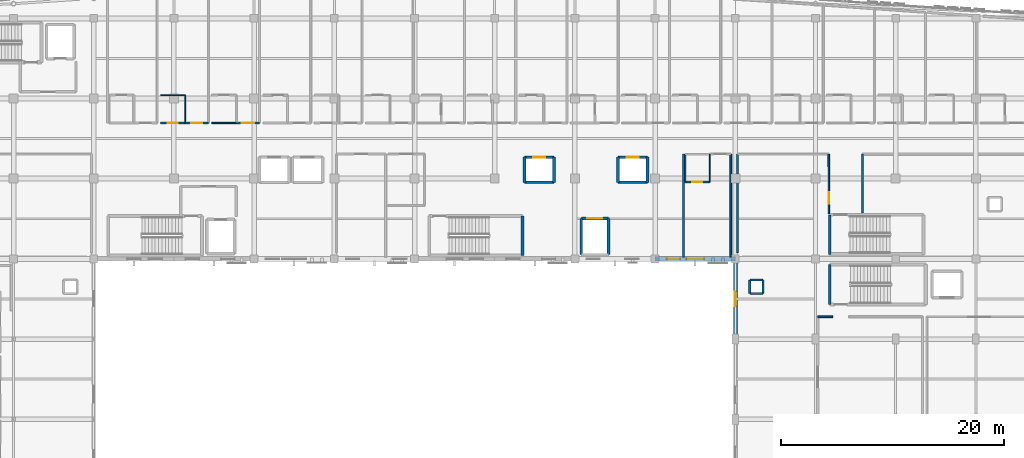
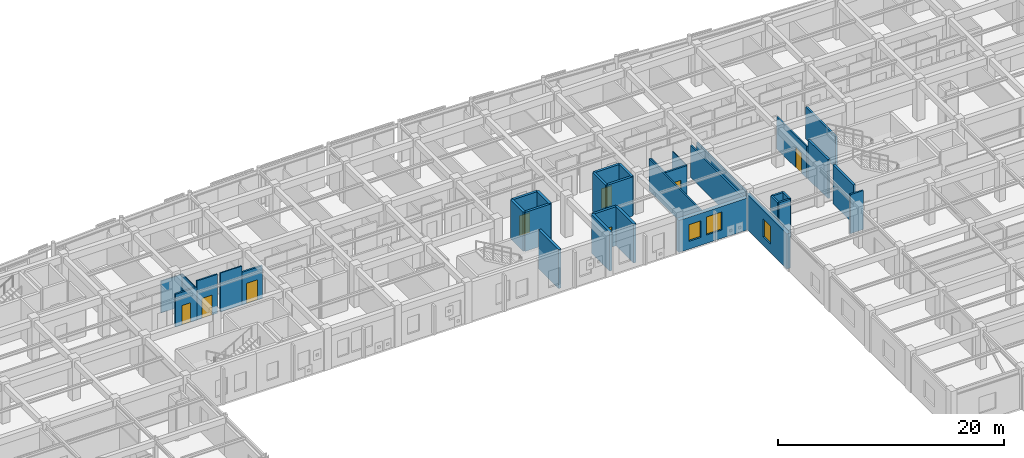
# One storey, part 81 of 106: 35 walls, 8 doors, 3 windows, 11 openings.
"""IFC4 building model written with IfcOpenShell, lengths in metres."""

from ifc_helpers import new_model, si_unit, direction, frame, frame_2d, origin, place, context, subcontext, project, spatial, rectangle, extrude, material, layer, layer_set, type_object, element, fill, save


model = new_model("IFC4")

# Units and contexts
model_context = context("Model", 3, precision=1e-05, world=origin(), true_north=direction((0.0, 1.0)))
body_context = subcontext(model_context, "Body", "Model", "MODEL_VIEW")
ifc_project = project(units=[si_unit("LENGTHUNIT", "METRE"), si_unit("AREAUNIT", "SQUARE_METRE"), si_unit("VOLUMEUNIT", "CUBIC_METRE"), si_unit("PLANEANGLEUNIT", "RADIAN"), si_unit("MASSUNIT", "GRAM", prefix="KILO")], contexts=[model_context])

# Site, building, storey
site_placement = place(None, origin())
site = spatial("IfcSite", under=ifc_project, at=site_placement, CompositionType="ELEMENT")
building_placement = place(site_placement, origin())
building = spatial("IfcBuilding", under=site, at=building_placement, Name="Carrowvane Square Congress Hotel", CompositionType="ELEMENT")
storey_placement = place(building_placement, frame((0.0, 0.0, 10.5)))
storey = spatial("IfcBuildingStorey", under=building, at=storey_placement, Name="L02", CompositionType="ELEMENT", Elevation=10.5)

# Wall, opening, window
ifc_material_1 = material(Name="Glazed terracotta rainscreen", Category="masonry")
ifc_layer_1 = layer(ifc_material_1, 0.360107421875)
ifc_layer_set_1 = layer_set([ifc_layer_1], Name="Glazed terracotta rainscreen")
wall_type_1 = type_object("IfcWallType", Name="WL-EXT-TC360", PredefinedType="STANDARD", material=ifc_layer_set_1)
wall_1_placement = place(storey_placement, frame((126.800048828125, 84.60009765625, 0.0), z_axis=(0.0, 0.0, 1.0), x_axis=(0.0, 1.0, 0.0)))
wall_1 = element("IfcWall", 1, at=wall_1_placement, inside=storey, type_object=wall_type_1, Name="L02 exterior facade wall 314", PredefinedType="STANDARD", context=body_context, shape_type="SweptSolid", body=[
    extrude(rectangle(XDim=7.199951171875, YDim=0.360107421875, at=frame_2d((3.60009765625, 0.0))), origin(), (0.0, 0.0, 1.0), 3.795654296875),
])
opening_1_placement = place(wall_1_placement, frame((2.949951171875, 0.0, 0.89990234375)))
opening_1 = element("IfcOpeningElement", 2, at=opening_1_placement, cuts=wall_1, Name="Opening W-29", PredefinedType="OPENING", context=body_context, shape_type="SweptSolid", body=[
    extrude(rectangle(XDim=1.300048828125, YDim=1.949951171875, at=frame_2d((0.64990234375, 0.97509765625))), frame((0.0, 0.18994140625, 0.0), z_axis=(0.0, -1.0, 0.0), x_axis=(1.0, 0.0, 0.0)), (0.0, 0.0, 1.0), 0.380126953125),
])
ifc_material_2 = material(Name="Double-glazed low-E glass", Category="glass")
window_type_1 = type_object("IfcWindowType", Name="WIN-29", PartitioningType="SINGLE_PANEL", PredefinedType="WINDOW", material=ifc_material_2)
window_1_placement = place(opening_1_placement, origin())
window_1 = element("IfcWindow", 3, at=window_1_placement, inside=storey, type_object=window_type_1, Name="L02 facade window 131", OverallHeight=1.949951171875, OverallWidth=1.300048828125, PartitioningType="SINGLE_PANEL", PredefinedType="WINDOW", context=body_context, shape_type="SweptSolid", body=[
    extrude(rectangle(XDim=1.300048828125, YDim=1.949951171875, at=frame_2d((0.64990234375, 0.97509765625))), frame((0.0, 0.030029296875, 0.0), z_axis=(0.0, -1.0, 0.0), x_axis=(1.0, 0.0, 0.0)), (0.0, 0.0, 1.0), 0.06005859375),
])
fill(opening_1, window_1)

# Wall, openings, windows
ifc_material_3 = material(Name="Glazed terracotta rainscreen", Category="masonry")
ifc_layer_2 = layer(ifc_material_3, 0.39990234375)
ifc_layer_set_2 = layer_set([ifc_layer_2], Name="Glazed terracotta rainscreen")
wall_type_2 = type_object("IfcWallType", Name="WL-EXT-TC400", PredefinedType="STANDARD", material=ifc_layer_set_2)
wall_2_placement = place(storey_placement, frame((126.800048828125, 91.800048828125, 0.0), z_axis=(0.0, 0.0, 1.0), x_axis=(-1.0, 0.0, 0.0)))
wall_2 = element("IfcWall", 4, at=wall_2_placement, inside=storey, type_object=wall_type_2, Name="L02 exterior facade wall 315", PredefinedType="STANDARD", context=body_context, shape_type="SweptSolid", body=[
    extrude(rectangle(XDim=7.199951171875, YDim=0.39990234375, at=frame_2d((3.60009765625, 0.0))), origin(), (0.0, 0.0, 1.0), 3.455078125),
])
opening_2_placement = place(wall_2_placement, frame((2.800048828125, 0.0, 0.89990234375)))
opening_2 = element("IfcOpeningElement", 5, at=opening_2_placement, cuts=wall_2, Name="Opening W-30", PredefinedType="OPENING", context=body_context, shape_type="SweptSolid", body=[
    extrude(rectangle(XDim=1.60009765625, YDim=1.949951171875, at=frame_2d((0.800048828125, 0.97509765625))), frame((0.0, 0.2099609375, 0.0), z_axis=(0.0, -1.0, 0.0), x_axis=(1.0, 0.0, 0.0)), (0.0, 0.0, 1.0), 0.419921875),
])
opening_3_placement = place(wall_2_placement, frame((4.949951171875, 0.0, 0.85009765625)))
opening_3 = element("IfcOpeningElement", 6, at=opening_3_placement, cuts=wall_2, Name="Opening W-01", PredefinedType="OPENING", context=body_context, shape_type="SweptSolid", body=[
    extrude(rectangle(XDim=1.199951171875, YDim=1.800048828125, at=frame_2d((0.60009765625, 0.89990234375))), frame((0.0, 0.2099609375, 0.0), z_axis=(0.0, -1.0, 0.0), x_axis=(1.0, 0.0, 0.0)), (0.0, 0.0, 1.0), 0.419921875),
])
ifc_material_4 = material(Name="Double-glazed low-E glass", Category="glass")
window_type_2 = type_object("IfcWindowType", Name="WIN-01", PartitioningType="SINGLE_PANEL", PredefinedType="WINDOW", material=ifc_material_4)
window_2_placement = place(opening_3_placement, origin())
window_2 = element("IfcWindow", 7, at=window_2_placement, inside=storey, type_object=window_type_2, Name="L02 guest bedroom window 133", OverallHeight=1.800048828125, OverallWidth=1.199951171875, PartitioningType="SINGLE_PANEL", PredefinedType="WINDOW", context=body_context, shape_type="SweptSolid", body=[
    extrude(rectangle(XDim=1.199951171875, YDim=1.800048828125, at=frame_2d((0.60009765625, 0.89990234375))), frame((0.0, 0.030029296875, 0.0), z_axis=(0.0, -1.0, 0.0), x_axis=(1.0, 0.0, 0.0)), (0.0, 0.0, 1.0), 0.06005859375),
])
fill(opening_3, window_2)
ifc_material_5 = material(Name="Double-glazed low-E glass", Category="glass")
window_type_3 = type_object("IfcWindowType", Name="WIN-30", PartitioningType="SINGLE_PANEL", PredefinedType="WINDOW", material=ifc_material_5)
window_3_placement = place(opening_2_placement, origin())
window_3 = element("IfcWindow", 8, at=window_3_placement, inside=storey, type_object=window_type_3, Name="L02 facade window 132", OverallHeight=1.949951171875, OverallWidth=1.60009765625, PartitioningType="SINGLE_PANEL", PredefinedType="WINDOW", context=body_context, shape_type="SweptSolid", body=[
    extrude(rectangle(XDim=1.60009765625, YDim=1.949951171875, at=frame_2d((0.800048828125, 0.97509765625))), frame((0.0, 0.030029296875, 0.0), z_axis=(0.0, -1.0, 0.0), x_axis=(1.0, 0.0, 0.0)), (0.0, 0.0, 1.0), 0.06005859375),
])
fill(opening_2, window_3)

# Walls
ifc_material_6 = material(Name="Acoustic gypsum board", Category="gypsum")
ifc_layer_3 = layer(ifc_material_6, 0.155029296875)
ifc_layer_set_3 = layer_set([ifc_layer_3], Name="Acoustic gypsum board")
wall_type_3 = type_object("IfcWallType", Name="WL-FIR-155", PredefinedType="PARTITIONING", material=ifc_layer_set_3)
wall_3_placement = place(storey_placement, frame((127.0, 92.3701171875, 0.0), z_axis=(0.0, 0.0, 1.0), x_axis=(0.0, 1.0, 0.0)))
element("IfcWall", 9, at=wall_3_placement, inside=storey, type_object=wall_type_3, Name="L02 L02 East Delegate Linen and Service Room partition", PredefinedType="PARTITIONING", context=body_context, shape_type="SweptSolid", body=[
    extrude(rectangle(XDim=8.829833984375, YDim=0.155029296875, at=frame_2d((4.4150390625, 0.0))), origin(), (0.0, 0.0, 1.0), 3.554931640625),
])
wall_4_placement = place(storey_placement, frame((122.14990234375, 91.9599609375, 0.0), z_axis=(0.0, 0.0, 1.0), x_axis=(0.0, 1.0, 0.0)))
element("IfcWall", 10, at=wall_4_placement, inside=storey, type_object=wall_type_3, Name="L02 Hotel Guest Bedroom 0201 partition", PredefinedType="PARTITIONING", context=body_context, shape_type="SweptSolid", body=[
    extrude(rectangle(XDim=9.239990234375, YDim=0.155029296875, at=frame_2d((4.6201171875, 0.0))), origin(), (0.0, 0.0, 1.0), 3.455078125),
])
ifc_material_7 = material(Name="Acoustic gypsum board", Category="gypsum")
ifc_layer_4 = layer(ifc_material_7, 0.169921875)
ifc_layer_set_4 = layer_set([ifc_layer_4], Name="Acoustic gypsum board")
wall_type_4 = type_object("IfcWallType", Name="WL-FIR-170", PredefinedType="PARTITIONING", material=ifc_layer_set_4)
wall_5_placement = place(storey_placement, frame((126.389892578125, 101.199951171875, 0.0), z_axis=(0.0, 0.0, 1.0), x_axis=(0.0, -1.0, 0.0)))
element("IfcWall", 11, at=wall_5_placement, inside=storey, type_object=wall_type_4, Name="L02 Hotel Guest Bedroom 0201 partition", PredefinedType="PARTITIONING", context=body_context, shape_type="SweptSolid", body=[
    extrude(rectangle(XDim=9.239990234375, YDim=0.169921875, at=frame_2d((4.6201171875, 0.0))), origin(), (0.0, 0.0, 1.0), 3.455078125),
])

# Wall, opening, door
wall_6_placement = place(storey_placement, frame((84.090087890625, 104.0, 0.0), z_axis=(0.0, 0.0, 1.0), x_axis=(-1.0, 0.0, 0.0)))
wall_6 = element("IfcWall", 12, at=wall_6_placement, inside=storey, type_object=wall_type_4, Name="L02 Parkview Guest Bedroom 0207 partition", PredefinedType="PARTITIONING", context=body_context, shape_type="SweptSolid", body=[
    extrude(rectangle(XDim=2.080078125, YDim=0.169921875, at=frame_2d((1.0400390625, 0.0))), origin(), (0.0, 0.0, 1.0), 3.554931640625),
])
opening_4_placement = place(wall_6_placement, frame((0.47998046875, 0.0, 0.0)))
opening_4 = element("IfcOpeningElement", 13, at=opening_4_placement, cuts=wall_6, Name="Opening FD-10", PredefinedType="OPENING", context=body_context, shape_type="SweptSolid", body=[
    extrude(rectangle(XDim=1.1201171875, YDim=2.199951171875, at=frame_2d((0.56005859375, 1.10009765625))), frame((0.0, 0.094970703125, 0.0), z_axis=(0.0, -1.0, 0.0), x_axis=(1.0, 0.0, 0.0)), (0.0, 0.0, 1.0), 0.18994140625),
])
ifc_material_8 = material(Name="European oak timber", Category="wood")
door_type_1 = type_object("IfcDoorType", Name="DR-FD30-1120x2200", OperationType="NOTDEFINED", PredefinedType="DOOR", material=ifc_material_8)
door_1_placement = place(opening_4_placement, origin())
door_1 = element("IfcDoor", 14, at=door_1_placement, inside=storey, type_object=door_type_1, Name="L02 Parkview Guest Bedroom 0207 entrance door", OperationType="SINGLE_SWING_RIGHT", OverallHeight=2.199951171875, OverallWidth=1.1201171875, PredefinedType="DOOR", context=body_context, shape_type="SweptSolid", body=[
    extrude(rectangle(XDim=1.1201171875, YDim=2.199951171875, at=frame_2d((0.56005859375, 1.10009765625))), frame((0.0, 0.02490234375, 0.0), z_axis=(0.0, -1.0, 0.0), x_axis=(1.0, 0.0, 0.0)), (0.0, 0.0, 1.0), 0.050048828125),
])
fill(opening_4, door_1)

# Walls
wall_7_placement = place(storey_placement, frame((134.199951171875, 86.60009765625, 0.0), z_axis=(0.0, 0.0, 1.0), x_axis=(1.0, 0.0, 0.0)))
element("IfcWall", 15, at=wall_7_placement, inside=storey, type_object=wall_type_4, Name="L02 Congress Seminar Room 201 partition", PredefinedType="PARTITIONING", context=body_context, shape_type="SweptSolid", body=[
    extrude(rectangle(XDim=1.344970703125, YDim=0.169921875, at=frame_2d((0.67236328125, 0.0))), origin(), (0.0, 0.0, 1.0), 4.219970703125),
])
ifc_material_9 = material(Name="Acoustic gypsum board", Category="gypsum")
ifc_layer_5 = layer(ifc_material_9, 0.18505859375)
ifc_layer_set_5 = layer_set([ifc_layer_5], Name="Acoustic gypsum board")
wall_type_5 = type_object("IfcWallType", Name="WL-FIR-185", PredefinedType="PARTITIONING", material=ifc_layer_set_5)
wall_8_placement = place(storey_placement, frame((138.2099609375, 95.929931640625, 0.0), z_axis=(0.0, 0.0, 1.0), x_axis=(0.0, 1.0, 0.0)))
element("IfcWall", 16, at=wall_8_placement, inside=storey, type_object=wall_type_5, Name="L02 L02 East Delegate Linen and Service Room partition", PredefinedType="PARTITIONING", context=body_context, shape_type="SweptSolid", body=[
    extrude(rectangle(XDim=5.27001953125, YDim=0.18505859375, at=frame_2d((2.635009765625, 0.0))), origin(), (0.0, 0.0, 1.0), 3.455078125),
])

# Wall, opening, door
wall_9_placement = place(storey_placement, frame((124.5, 98.699951171875, 0.0), z_axis=(0.0, 0.0, 1.0), x_axis=(-1.0, 0.0, 0.0)))
wall_9 = element("IfcWall", 17, at=wall_9_placement, inside=storey, type_object=wall_type_5, Name="L02 En-suite Bathroom 0201 partition", PredefinedType="PARTITIONING", context=body_context, shape_type="SweptSolid", body=[
    extrude(rectangle(XDim=2.199951171875, YDim=0.18505859375, at=frame_2d((1.10009765625, 0.0))), origin(), (0.0, 0.0, 1.0), 3.455078125),
])
opening_5_placement = place(wall_9_placement, frame((0.655029296875, 0.0, 0.0)))
opening_5 = element("IfcOpeningElement", 18, at=opening_5_placement, cuts=wall_9, Name="Opening ID-16", PredefinedType="OPENING", context=body_context, shape_type="SweptSolid", body=[
    extrude(rectangle(XDim=0.889892578125, YDim=2.090087890625, at=frame_2d((0.44482421875, 1.044921875))), frame((0.0, 0.1025390625, 0.0), z_axis=(0.0, -1.0, 0.0), x_axis=(1.0, 0.0, 0.0)), (0.0, 0.0, 1.0), 0.205078125),
])
ifc_material_10 = material(Name="European oak timber", Category="wood")
door_type_2 = type_object("IfcDoorType", Name="DR-INT-0890x2090", OperationType="NOTDEFINED", PredefinedType="DOOR", material=ifc_material_10)
door_2_placement = place(opening_5_placement, origin())
door_2 = element("IfcDoor", 19, at=door_2_placement, inside=storey, type_object=door_type_2, Name="L02 En-suite Bathroom 0201 door", OperationType="SINGLE_SWING_LEFT", OverallHeight=2.090087890625, OverallWidth=0.889892578125, PredefinedType="DOOR", context=body_context, shape_type="SweptSolid", body=[
    extrude(rectangle(XDim=0.889892578125, YDim=2.090087890625, at=frame_2d((0.44482421875, 1.044921875))), frame((0.0, 0.02490234375, 0.0), z_axis=(0.0, -1.0, 0.0), x_axis=(1.0, 0.0, 0.0)), (0.0, 0.0, 1.0), 0.050048828125),
])
fill(opening_5, door_2)

wall_10_placement = place(storey_placement, frame((77.39990234375, 104.0, 0.0), z_axis=(0.0, 0.0, 1.0), x_axis=(-1.0, 0.0, 0.0)))
wall_10 = element("IfcWall", 20, at=wall_10_placement, inside=storey, type_object=wall_type_5, Name="L02 En-suite Bathroom 0206 partition", PredefinedType="PARTITIONING", context=body_context, shape_type="SweptSolid", body=[
    extrude(rectangle(XDim=2.199951171875, YDim=0.18505859375, at=frame_2d((1.10009765625, 0.0))), origin(), (0.0, 0.0, 1.0), 3.554931640625),
])
opening_6_placement = place(wall_10_placement, frame((0.64501953125, 0.0, 0.0)))
opening_6 = element("IfcOpeningElement", 21, at=opening_6_placement, cuts=wall_10, Name="Opening ID-17", PredefinedType="OPENING", context=body_context, shape_type="SweptSolid", body=[
    extrude(rectangle(XDim=0.909912109375, YDim=2.110107421875, at=frame_2d((0.455078125, 1.05517578125))), frame((0.0, 0.1025390625, 0.0), z_axis=(0.0, -1.0, 0.0), x_axis=(1.0, 0.0, 0.0)), (0.0, 0.0, 1.0), 0.205078125),
])
ifc_material_11 = material(Name="European oak timber", Category="wood")
door_type_3 = type_object("IfcDoorType", Name="DR-INT-0910x2110", OperationType="NOTDEFINED", PredefinedType="DOOR", material=ifc_material_11)
door_3_placement = place(opening_6_placement, origin())
door_3 = element("IfcDoor", 22, at=door_3_placement, inside=storey, type_object=door_type_3, Name="L02 En-suite Bathroom 0206 door", OperationType="SINGLE_SWING_LEFT", OverallHeight=2.110107421875, OverallWidth=0.909912109375, PredefinedType="DOOR", context=body_context, shape_type="SweptSolid", body=[
    extrude(rectangle(XDim=0.909912109375, YDim=2.110107421875, at=frame_2d((0.455078125, 1.05517578125))), frame((0.0, 0.02490234375, 0.0), z_axis=(0.0, -1.0, 0.0), x_axis=(1.0, 0.0, 0.0)), (0.0, 0.0, 1.0), 0.050048828125),
])
fill(opening_6, door_3)

# Walls
ifc_material_12 = material(Name="Standing-seam zinc cladding", Category="metal")
ifc_layer_6 = layer(ifc_material_12, 0.195068359375)
ifc_layer_set_6 = layer_set([ifc_layer_6], Name="Standing-seam zinc cladding")
wall_type_6 = type_object("IfcWallType", Name="WL-PAR-195", PredefinedType="PARAPET", material=ifc_layer_set_6)
for number, where, z_axis, x_axis, name in (
    (23, (128.10009765625, 88.699951171875, 0.0), (0.0, 0.0, 1.0), (1.0, 0.0, 0.0), "L02 service riser RSR-V3 enclosure S"),
    (24, (129.300048828125, 88.699951171875, 0.0), (0.0, 0.0, 1.0), (0.0, 1.0, 0.0), "L02 service riser RSR-V3 enclosure E"),
    (25, (129.300048828125, 89.89990234375, 0.0), (0.0, 0.0, 1.0), (-1.0, 0.0, 0.0), "L02 service riser RSR-V3 enclosure N"),
    (26, (128.10009765625, 89.89990234375, 0.0), (0.0, 0.0, 1.0), (0.0, -1.0, 0.0), "L02 service riser RSR-V3 enclosure W"),
):
    element("IfcWall", number, at=place(storey_placement, frame(where, z_axis=z_axis, x_axis=x_axis)), inside=storey, type_object=wall_type_6, Name=name, PredefinedType="PARAPET", context=body_context, shape_type="SweptSolid", body=[
        extrude(rectangle(XDim=1.199951171875, YDim=0.195068359375, at=frame_2d((0.60009765625, 0.0))), origin(), (0.0, 0.0, 1.0), 4.219970703125),
    ])
ifc_material_13 = material(Name="Acoustic gypsum board", Category="gypsum")
ifc_layer_7 = layer(ifc_material_13, 0.097900390625)
ifc_layer_set_7 = layer_set([ifc_layer_7], Name="Acoustic gypsum board")
wall_type_7 = type_object("IfcWallType", Name="WL-PRT-098", PredefinedType="PARTITIONING", material=ifc_layer_set_7)
for number, where, z_axis, x_axis, name in (
    (27, (124.5, 101.199951171875, 0.0), (0.0, 0.0, 1.0), (0.0, -1.0, 0.0), "L02 En-suite Bathroom 0201 partition"),
    (28, (77.39990234375, 106.5, 0.0), (0.0, 0.0, 1.0), (0.0, -1.0, 0.0), "L02 En-suite Bathroom 0206 partition"),
):
    element("IfcWall", number, at=place(storey_placement, frame(where, z_axis=z_axis, x_axis=x_axis)), inside=storey, type_object=wall_type_7, Name=name, PredefinedType="PARTITIONING", context=body_context, shape_type="SweptSolid", body=[
        extrude(rectangle(XDim=2.5, YDim=0.097900390625, at=frame_2d((1.25, 0.0))), origin(), (0.0, 0.0, 1.0), 3.455078125),
    ])
ifc_material_14 = material(Name="Acoustic gypsum board", Category="gypsum")
ifc_layer_8 = layer(ifc_material_14, 0.10791015625)
ifc_layer_set_8 = layer_set([ifc_layer_8], Name="Acoustic gypsum board")
wall_type_8 = type_object("IfcWallType", Name="WL-PRT-108", PredefinedType="PARTITIONING", material=ifc_layer_set_8)
wall_11_placement = place(storey_placement, frame((75.199951171875, 106.5, 0.0), z_axis=(0.0, 0.0, 1.0), x_axis=(1.0, 0.0, 0.0)))
element("IfcWall", 29, at=wall_11_placement, inside=storey, type_object=wall_type_8, Name="L02 En-suite Bathroom 0206 partition", PredefinedType="PARTITIONING", context=body_context, shape_type="SweptSolid", body=[
    extrude(rectangle(XDim=2.199951171875, YDim=0.10791015625, at=frame_2d((1.10009765625, 0.0))), origin(), (0.0, 0.0, 1.0), 3.455078125),
])
ifc_material_15 = material(Name="Acoustic gypsum board", Category="gypsum")
ifc_layer_9 = layer(ifc_material_15, 0.117919921875)
ifc_layer_set_9 = layer_set([ifc_layer_9], Name="Acoustic gypsum board")
wall_type_9 = type_object("IfcWallType", Name="WL-PRT-118", PredefinedType="PARTITIONING", material=ifc_layer_set_9)
wall_12_placement = place(storey_placement, frame((122.300048828125, 98.699951171875, 0.0), z_axis=(0.0, 0.0, 1.0), x_axis=(0.0, 1.0, 0.0)))
element("IfcWall", 30, at=wall_12_placement, inside=storey, type_object=wall_type_9, Name="L02 En-suite Bathroom 0201 partition", PredefinedType="PARTITIONING", context=body_context, shape_type="SweptSolid", body=[
    extrude(rectangle(XDim=2.5, YDim=0.117919921875, at=frame_2d((1.25, 0.0))), origin(), (0.0, 0.0, 1.0), 3.455078125),
])
wall_13_placement = place(storey_placement, frame((82.0, 104.0, 0.0), z_axis=(0.0, 0.0, 1.0), x_axis=(-1.0, 0.0, 0.0)))
element("IfcWall", 31, at=wall_13_placement, inside=storey, type_object=wall_type_9, Name="L02 En-suite Bathroom 0207 partition", PredefinedType="PARTITIONING", context=body_context, shape_type="SweptSolid", body=[
    extrude(rectangle(XDim=2.199951171875, YDim=0.117919921875, at=frame_2d((1.10009765625, 0.0))), origin(), (0.0, 0.0, 1.0), 4.219970703125),
])

# Wall, opening, door
ifc_material_16 = material(Name="Acoustic gypsum board", Category="gypsum")
ifc_layer_10 = layer(ifc_material_16, 0.137939453125)
ifc_layer_set_10 = layer_set([ifc_layer_10], Name="Acoustic gypsum board")
wall_type_10 = type_object("IfcWallType", Name="WL-PRT-138", PredefinedType="PARTITIONING", material=ifc_layer_set_10)
wall_14_placement = place(storey_placement, frame((135.18994140625, 101.199951171875, 0.0), z_axis=(0.0, 0.0, 1.0), x_axis=(0.000636913569, -0.999999797171, 0.0)))
wall_14 = element("IfcWall", 32, at=wall_14_placement, inside=storey, type_object=wall_type_10, Name="L02 L02 East Delegate Linen and Service Room partition", PredefinedType="PARTITIONING", context=body_context, shape_type="SweptSolid", body=[
    extrude(rectangle(XDim=5.366455078125, YDim=0.137939453125, at=frame_2d((2.68310546875, 0.0))), origin(), (0.0, 0.0, 1.0), 3.455078125),
])
opening_7_placement = place(wall_14_placement, frame((3.408203125, 0.0, 0.0)))
opening_7 = element("IfcOpeningElement", 33, at=opening_7_placement, cuts=wall_14, Name="Opening ID-21", PredefinedType="OPENING", context=body_context, shape_type="SweptSolid", body=[
    extrude(rectangle(XDim=1.050048828125, YDim=2.179931640625, at=frame_2d((0.52490234375, 1.08984375))), frame((0.0, 0.078857421875, 0.0), z_axis=(0.0, -1.0, 0.0), x_axis=(1.0, 0.0, 0.0)), (0.0, 0.0, 1.0), 0.157958984375),
])
ifc_material_17 = material(Name="European oak timber", Category="wood")
door_type_4 = type_object("IfcDoorType", Name="DR-INT-1050x2180", OperationType="NOTDEFINED", PredefinedType="DOOR", material=ifc_material_17)
door_4_placement = place(opening_7_placement, origin())
door_4 = element("IfcDoor", 34, at=door_4_placement, inside=storey, type_object=door_type_4, Name="L02 L02 East Delegate Linen and Service Room entrance door", OperationType="SINGLE_SWING_RIGHT", OverallHeight=2.179931640625, OverallWidth=1.050048828125, PredefinedType="DOOR", context=body_context, shape_type="SweptSolid", body=[
    extrude(rectangle(XDim=1.050048828125, YDim=2.179931640625, at=frame_2d((0.52490234375, 1.08984375))), frame((0.0, 0.02490234375, 0.0), z_axis=(0.0, -1.0, 0.0), x_axis=(1.0, 0.0, 0.0)), (0.0, 0.0, 1.0), 0.050048828125),
])
fill(opening_7, door_4)

wall_15_placement = place(storey_placement, frame((79.489990234375, 104.0, 0.0), z_axis=(0.0, 0.0, 1.0), x_axis=(-1.0, 0.0, 0.0)))
wall_15 = element("IfcWall", 35, at=wall_15_placement, inside=storey, type_object=wall_type_10, Name="L02 Parkview Guest Bedroom 0206 partition", PredefinedType="PARTITIONING", context=body_context, shape_type="SweptSolid", body=[
    extrude(rectangle(XDim=2.080078125, YDim=0.137939453125, at=frame_2d((1.0400390625, 0.0))), origin(), (0.0, 0.0, 1.0), 4.219970703125),
])
opening_8_placement = place(wall_15_placement, frame((0.530029296875, 0.0, 0.0)))
opening_8 = element("IfcOpeningElement", 36, at=opening_8_placement, cuts=wall_15, Name="Opening FD-08", PredefinedType="OPENING", context=body_context, shape_type="SweptSolid", body=[
    extrude(rectangle(XDim=1.02001953125, YDim=2.14990234375, at=frame_2d((0.510009765625, 1.074951171875))), frame((0.0, 0.078857421875, 0.0), z_axis=(0.0, -1.0, 0.0), x_axis=(1.0, 0.0, 0.0)), (0.0, 0.0, 1.0), 0.157958984375),
])
ifc_material_18 = material(Name="European oak timber", Category="wood")
door_type_5 = type_object("IfcDoorType", Name="DR-FD30-1020x2150", OperationType="NOTDEFINED", PredefinedType="DOOR", material=ifc_material_18)
door_5_placement = place(opening_8_placement, origin())
door_5 = element("IfcDoor", 37, at=door_5_placement, inside=storey, type_object=door_type_5, Name="L02 Parkview Guest Bedroom 0206 entrance door", OperationType="SINGLE_SWING_RIGHT", OverallHeight=2.14990234375, OverallWidth=1.02001953125, PredefinedType="DOOR", context=body_context, shape_type="SweptSolid", body=[
    extrude(rectangle(XDim=1.02001953125, YDim=2.14990234375, at=frame_2d((0.510009765625, 1.074951171875))), frame((0.0, 0.02490234375, 0.0), z_axis=(0.0, -1.0, 0.0), x_axis=(1.0, 0.0, 0.0)), (0.0, 0.0, 1.0), 0.050048828125),
])
fill(opening_8, door_5)

# Walls
ifc_material_19 = material(Name="Concrete C40/50", Category="concrete")
ifc_layer_11 = layer(ifc_material_19, 0.22509765625)
ifc_layer_set_11 = layer_set([ifc_layer_11], Name="Concrete C40/50")
wall_type_11 = type_object("IfcWallType", Name="WL-SHR-225", PredefinedType="SHEAR", material=ifc_layer_set_11)
wall_16_placement = place(storey_placement, frame((135.300048828125, 91.300048828125, 0.0), z_axis=(0.0, 0.0, 1.0), x_axis=(0.0, -1.0, 0.0)))
element("IfcWall", 38, at=wall_16_placement, inside=storey, type_object=wall_type_11, Name="L02 ST8 core wall west", PredefinedType="SHEAR", context=body_context, shape_type="SweptSolid", body=[
    extrude(rectangle(XDim=3.60009765625, YDim=0.22509765625, at=frame_2d((1.800048828125, 0.0))), origin(), (0.0, 0.0, 1.0), 4.219970703125),
])
wall_17_placement = place(storey_placement, frame((135.300048828125, 95.760009765625, 0.0), z_axis=(0.0, 0.0, 1.0), x_axis=(0.0, -1.0, 0.0)))
element("IfcWall", 39, at=wall_17_placement, inside=storey, type_object=wall_type_11, Name="L02 ST12 core wall west", PredefinedType="SHEAR", context=body_context, shape_type="SweptSolid", body=[
    extrude(rectangle(XDim=3.56005859375, YDim=0.22509765625, at=frame_2d((1.780029296875, 0.0))), origin(), (0.0, 0.0, 1.0), 4.219970703125),
])
ifc_material_20 = material(Name="Concrete C40/50", Category="concrete")
ifc_layer_12 = layer(ifc_material_20, 0.25)
ifc_layer_set_12 = layer_set([ifc_layer_12], Name="Concrete C40/50")
wall_type_12 = type_object("IfcWallType", Name="WL-SHR-250", PredefinedType="SHEAR", material=ifc_layer_set_12)
wall_18_placement = place(storey_placement, frame((107.875, 98.675048828125, 0.0), z_axis=(0.0, 0.0, 1.0), x_axis=(1.0, 0.0, 0.0)))
element("IfcWall", 40, at=wall_18_placement, inside=storey, type_object=wall_type_12, Name="L02 HL-3 shaft wall south", PredefinedType="SHEAR", context=body_context, shape_type="SweptSolid", body=[
    extrude(rectangle(XDim=2.64990234375, YDim=0.25, at=frame_2d((1.324951171875, 0.0))), origin(), (0.0, 0.0, 1.0), 4.219970703125),
])
wall_19_placement = place(storey_placement, frame((110.52490234375, 98.675048828125, 0.0), z_axis=(0.0, 0.0, 1.0), x_axis=(0.0, 1.0, 0.0)))
element("IfcWall", 41, at=wall_19_placement, inside=storey, type_object=wall_type_12, Name="L02 HL-3 shaft wall east", PredefinedType="SHEAR", context=body_context, shape_type="SweptSolid", body=[
    extrude(rectangle(XDim=2.25, YDim=0.25, at=frame_2d((1.125, 0.0))), origin(), (0.0, 0.0, 1.0), 4.219970703125),
])

# Wall, opening, door
wall_20_placement = place(storey_placement, frame((110.52490234375, 100.925048828125, 0.0), z_axis=(0.0, 0.0, 1.0), x_axis=(-1.0, 0.0, 0.0)))
wall_20 = element("IfcWall", 42, at=wall_20_placement, inside=storey, type_object=wall_type_12, Name="L02 HL-3 shaft wall north", PredefinedType="SHEAR", context=body_context, shape_type="SweptSolid", body=[
    extrude(rectangle(XDim=2.64990234375, YDim=0.25, at=frame_2d((1.324951171875, 0.0))), origin(), (0.0, 0.0, 1.0), 4.219970703125),
])
opening_9_placement = place(wall_20_placement, frame((0.77490234375, 0.0, 0.0)))
opening_9 = element("IfcOpeningElement", 43, at=opening_9_placement, cuts=wall_20, Name="Opening LD-HL-3", PredefinedType="OPENING", context=body_context, shape_type="SweptSolid", body=[
    extrude(rectangle(XDim=1.10009765625, YDim=2.14990234375, at=frame_2d((0.550048828125, 1.074951171875))), frame((0.0, 0.135009765625, 0.0), z_axis=(0.0, -1.0, 0.0), x_axis=(1.0, 0.0, 0.0)), (0.0, 0.0, 1.0), 0.27001953125),
])
ifc_material_21 = material(Name="Stainless steel 316", Category="steel")
door_type_6 = type_object("IfcDoorType", Name="DR-LD-1100x2150", OperationType="DOUBLE_DOOR_SLIDING", PredefinedType="DOOR", material=ifc_material_21)
door_6_placement = place(opening_9_placement, origin())
door_6 = element("IfcDoor", 44, at=door_6_placement, inside=storey, type_object=door_type_6, Name="L02 HL-3 sliding lift landing door", OperationType="DOUBLE_DOOR_SLIDING", OverallHeight=2.14990234375, OverallWidth=1.10009765625, PredefinedType="DOOR", context=body_context, shape_type="SweptSolid", body=[
    extrude(rectangle(XDim=1.10009765625, YDim=2.14990234375, at=frame_2d((0.550048828125, 1.074951171875))), frame((0.0, 0.02490234375, 0.0), z_axis=(0.0, -1.0, 0.0), x_axis=(1.0, 0.0, 0.0)), (0.0, 0.0, 1.0), 0.050048828125),
])
fill(opening_9, door_6)

# Walls
wall_21_placement = place(storey_placement, frame((107.875, 100.925048828125, 0.0), z_axis=(0.0, 0.0, 1.0), x_axis=(0.0, -1.0, 0.0)))
element("IfcWall", 45, at=wall_21_placement, inside=storey, type_object=wall_type_12, Name="L02 HL-3 shaft wall west", PredefinedType="SHEAR", context=body_context, shape_type="SweptSolid", body=[
    extrude(rectangle(XDim=2.25, YDim=0.25, at=frame_2d((1.125, 0.0))), origin(), (0.0, 0.0, 1.0), 4.219970703125),
])
wall_22_placement = place(storey_placement, frame((116.27490234375, 98.675048828125, 0.0), z_axis=(0.0, 0.0, 1.0), x_axis=(1.0, 0.0, 0.0)))
element("IfcWall", 46, at=wall_22_placement, inside=storey, type_object=wall_type_12, Name="L02 HL-4 shaft wall south", PredefinedType="SHEAR", context=body_context, shape_type="SweptSolid", body=[
    extrude(rectangle(XDim=2.650146484375, YDim=0.25, at=frame_2d((1.3251953125, 0.0))), origin(), (0.0, 0.0, 1.0), 4.219970703125),
])
wall_23_placement = place(storey_placement, frame((118.925048828125, 98.675048828125, 0.0), z_axis=(0.0, 0.0, 1.0), x_axis=(0.0, 1.0, 0.0)))
element("IfcWall", 47, at=wall_23_placement, inside=storey, type_object=wall_type_12, Name="L02 HL-4 shaft wall east", PredefinedType="SHEAR", context=body_context, shape_type="SweptSolid", body=[
    extrude(rectangle(XDim=2.25, YDim=0.25, at=frame_2d((1.125, 0.0))), origin(), (0.0, 0.0, 1.0), 4.219970703125),
])

# Wall, opening, door
wall_24_placement = place(storey_placement, frame((118.925048828125, 100.925048828125, 0.0), z_axis=(0.0, 0.0, 1.0), x_axis=(-1.0, 0.0, 0.0)))
wall_24 = element("IfcWall", 48, at=wall_24_placement, inside=storey, type_object=wall_type_12, Name="L02 HL-4 shaft wall north", PredefinedType="SHEAR", context=body_context, shape_type="SweptSolid", body=[
    extrude(rectangle(XDim=2.650146484375, YDim=0.25, at=frame_2d((1.3251953125, 0.0))), origin(), (0.0, 0.0, 1.0), 4.219970703125),
])
opening_10_placement = place(wall_24_placement, frame((0.77490234375, 0.0, 0.0)))
opening_10 = element("IfcOpeningElement", 49, at=opening_10_placement, cuts=wall_24, Name="Opening LD-HL-4", PredefinedType="OPENING", context=body_context, shape_type="SweptSolid", body=[
    extrude(rectangle(XDim=1.10009765625, YDim=2.14990234375, at=frame_2d((0.550048828125, 1.074951171875))), frame((0.0, 0.135009765625, 0.0), z_axis=(0.0, -1.0, 0.0), x_axis=(1.0, 0.0, 0.0)), (0.0, 0.0, 1.0), 0.27001953125),
])
door_7_placement = place(opening_10_placement, origin())
door_7 = element("IfcDoor", 50, at=door_7_placement, inside=storey, type_object=door_type_6, Name="L02 HL-4 sliding lift landing door", OperationType="DOUBLE_DOOR_SLIDING", OverallHeight=2.14990234375, OverallWidth=1.10009765625, PredefinedType="DOOR", context=body_context, shape_type="SweptSolid", body=[
    extrude(rectangle(XDim=1.10009765625, YDim=2.14990234375, at=frame_2d((0.550048828125, 1.074951171875))), frame((0.0, 0.02490234375, 0.0), z_axis=(0.0, -1.0, 0.0), x_axis=(1.0, 0.0, 0.0)), (0.0, 0.0, 1.0), 0.050048828125),
])
fill(opening_10, door_7)

# Walls
wall_25_placement = place(storey_placement, frame((116.27490234375, 100.925048828125, 0.0), z_axis=(0.0, 0.0, 1.0), x_axis=(0.0, -1.0, 0.0)))
element("IfcWall", 51, at=wall_25_placement, inside=storey, type_object=wall_type_12, Name="L02 HL-4 shaft wall west", PredefinedType="SHEAR", context=body_context, shape_type="SweptSolid", body=[
    extrude(rectangle(XDim=2.25, YDim=0.25, at=frame_2d((1.125, 0.0))), origin(), (0.0, 0.0, 1.0), 4.219970703125),
])
wall_26_placement = place(storey_placement, frame((115.425048828125, 92.175048828125, 0.0), z_axis=(0.0, 0.0, 1.0), x_axis=(0.0, 1.0, 0.0)))
element("IfcWall", 52, at=wall_26_placement, inside=storey, type_object=wall_type_12, Name="L02 SL-2 shaft wall east", PredefinedType="SHEAR", context=body_context, shape_type="SweptSolid", body=[
    extrude(rectangle(XDim=3.25, YDim=0.25, at=frame_2d((1.625, 0.0))), origin(), (0.0, 0.0, 1.0), 4.219970703125),
])

# Wall, opening, door
wall_27_placement = place(storey_placement, frame((115.425048828125, 95.425048828125, 0.0), z_axis=(0.0, 0.0, 1.0), x_axis=(-1.0, 0.0, 0.0)))
wall_27 = element("IfcWall", 53, at=wall_27_placement, inside=storey, type_object=wall_type_12, Name="L02 SL-2 shaft wall north", PredefinedType="SHEAR", context=body_context, shape_type="SweptSolid", body=[
    extrude(rectangle(XDim=2.449951171875, YDim=0.25, at=frame_2d((1.22509765625, 0.0))), origin(), (0.0, 0.0, 1.0), 4.219970703125),
])
opening_11_placement = place(wall_27_placement, frame((0.550048828125, 0.0, 0.0)))
opening_11 = element("IfcOpeningElement", 54, at=opening_11_placement, cuts=wall_27, Name="Opening LD-SL-2", PredefinedType="OPENING", context=body_context, shape_type="SweptSolid", body=[
    extrude(rectangle(XDim=1.35009765625, YDim=2.199951171875, at=frame_2d((0.675048828125, 1.10009765625))), frame((0.0, 0.135009765625, 0.0), z_axis=(0.0, -1.0, 0.0), x_axis=(1.0, 0.0, 0.0)), (0.0, 0.0, 1.0), 0.27001953125),
])
ifc_material_22 = material(Name="Stainless steel 316", Category="steel")
door_type_7 = type_object("IfcDoorType", Name="DR-LD-1350x2200", OperationType="DOUBLE_DOOR_SLIDING", PredefinedType="DOOR", material=ifc_material_22)
door_8_placement = place(opening_11_placement, origin())
door_8 = element("IfcDoor", 55, at=door_8_placement, inside=storey, type_object=door_type_7, Name="L02 SL-2 sliding lift landing door", OperationType="DOUBLE_DOOR_SLIDING", OverallHeight=2.199951171875, OverallWidth=1.35009765625, PredefinedType="DOOR", context=body_context, shape_type="SweptSolid", body=[
    extrude(rectangle(XDim=1.35009765625, YDim=2.199951171875, at=frame_2d((0.675048828125, 1.10009765625))), frame((0.0, 0.02490234375, 0.0), z_axis=(0.0, -1.0, 0.0), x_axis=(1.0, 0.0, 0.0)), (0.0, 0.0, 1.0), 0.050048828125),
])
fill(opening_11, door_8)

# Walls
wall_28_placement = place(storey_placement, frame((112.97509765625, 95.425048828125, 0.0), z_axis=(0.0, 0.0, 1.0), x_axis=(0.0, -1.0, 0.0)))
element("IfcWall", 56, at=wall_28_placement, inside=storey, type_object=wall_type_12, Name="L02 SL-2 shaft wall west", PredefinedType="SHEAR", context=body_context, shape_type="SweptSolid", body=[
    extrude(rectangle(XDim=3.25, YDim=0.25, at=frame_2d((1.625, 0.0))), origin(), (0.0, 0.0, 1.0), 4.219970703125),
])
ifc_material_23 = material(Name="Concrete C40/50", Category="concrete")
ifc_layer_13 = layer(ifc_material_23, 0.27490234375)
ifc_layer_set_13 = layer_set([ifc_layer_13], Name="Concrete C40/50")
wall_type_13 = type_object("IfcWallType", Name="WL-SHR-275", PredefinedType="SHEAR", material=ifc_layer_set_13)
wall_29_placement = place(storey_placement, frame((107.699951171875, 92.10009765625, 0.0), z_axis=(0.0, 0.0, 1.0), x_axis=(0.0, 1.0, 0.0)))
element("IfcWall", 57, at=wall_29_placement, inside=storey, type_object=wall_type_13, Name="L02 ST3 core wall east", PredefinedType="SHEAR", context=body_context, shape_type="SweptSolid", body=[
    extrude(rectangle(XDim=3.559814453125, YDim=0.27490234375, at=frame_2d((1.77978515625, 0.0))), origin(), (0.0, 0.0, 1.0), 4.219970703125),
])

save(model, "model.ifc")
